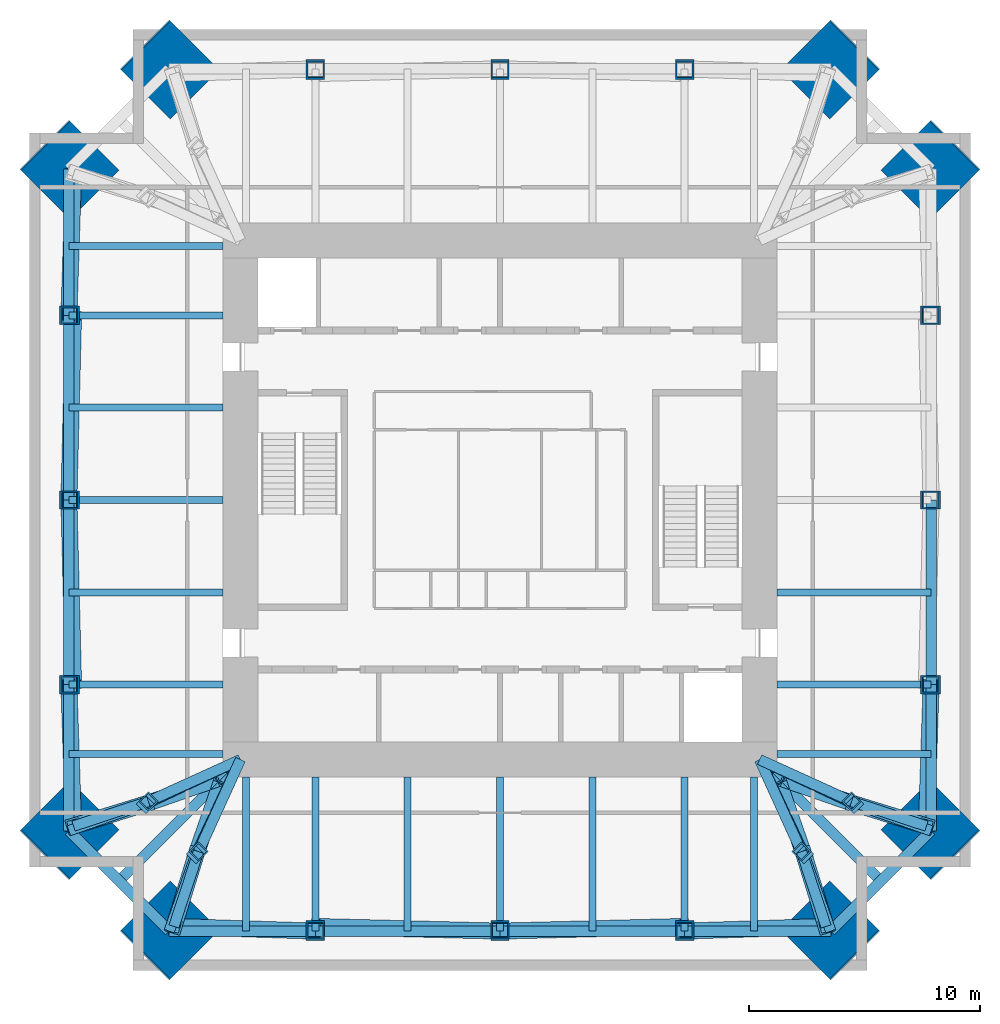
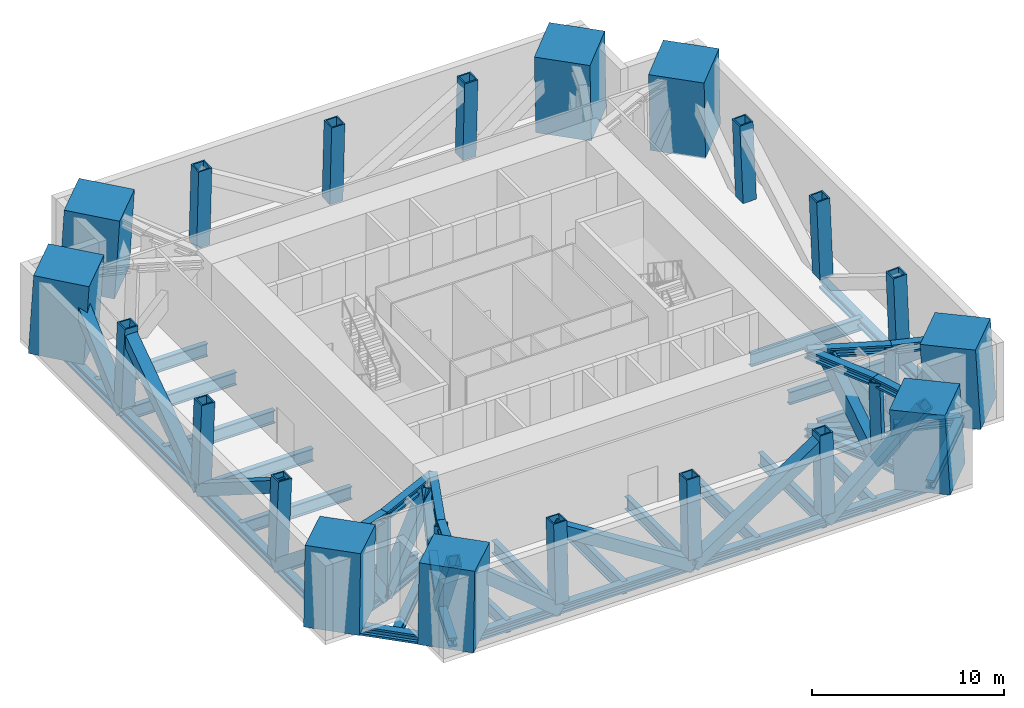
# One storey, part 1 of 6: 47 members, 21 beams, 20 columns.
"""IFC4 building model written with IfcOpenShell, lengths in metres."""

from ifc_helpers import new_model, si_unit, direction, frame, origin, origin_2d, place, context, subcontext, project, spatial, rectangle, hollow_rectangle, i_section, extrude, material, material_profile, profile_set, type_object, element, save


model = new_model("IFC4")

# Units and contexts
model_context = context("Model", 3, precision=1e-05, world=origin(), true_north=direction((0.0, 1.0)))
body_context = subcontext(model_context, "Body", "Model", "MODEL_VIEW")
ifc_project = project(units=[si_unit("LENGTHUNIT", "METRE"), si_unit("AREAUNIT", "SQUARE_METRE"), si_unit("VOLUMEUNIT", "CUBIC_METRE"), si_unit("PLANEANGLEUNIT", "RADIAN"), si_unit("MASSUNIT", "GRAM", prefix="KILO")], contexts=[model_context])

# Site, building, storey
site_placement = place(None, origin())
site = spatial("IfcSite", under=ifc_project, at=site_placement, CompositionType="ELEMENT")
building_placement = place(site_placement, origin())
building = spatial("IfcBuilding", under=site, at=building_placement, Name="Peilmerk Tower", CompositionType="ELEMENT")
storey_placement = place(building_placement, frame((0.0, 0.0, 302.800048828125)))
storey = spatial("IfcBuildingStorey", under=building, at=storey_placement, Name="L68", CompositionType="ELEMENT", Elevation=302.800048828125)

# Columns
ifc_material_1 = material(Name="Concrete C90/105", Category="concrete")
ifc_material_profile_1 = material_profile(ifc_material_1, rectangle(XDim=3.0, YDim=3.0, at=origin_2d()), Name="RC 3000x3000")
ifc_profile_set_1 = profile_set([ifc_material_profile_1], Name="Concrete C90/105")
column_type_1 = type_object("IfcColumnType", Name="MC3 3000x3000 encased mega column", PredefinedType="COLUMN", material=ifc_profile_set_1)
for number, where, z_axis, x_axis, name in (
    (1, (14.337158203125, 18.68701171875, 0.0), (-0.040266662877, -0.04021791389, 0.998379244207), (0.706678361564, -0.707534941396, 0.0), "Mega column MC3 NE_N L68"),
    (2, (18.68701171875, 14.337158203125, 0.0), (-0.04021791389, -0.040266662877, 0.998379244207), (0.707534941396, -0.706678361564, 0.0), "Mega column MC3 NE_E L68"),
    (3, (18.68701171875, -14.337158203125, 0.0), (-0.04021791389, 0.040266662877, 0.998379244207), (-0.707534941396, -0.706678361564, 0.0), "Mega column MC3 SE_E L68"),
    (4, (14.337158203125, -18.68701171875, 0.0), (-0.040266662877, 0.04021791389, 0.998379244207), (-0.706678361564, -0.707534941396, 0.0), "Mega column MC3 SE_S L68"),
    (5, (-14.337158203125, -18.68701171875, 0.0), (0.040266662877, 0.04021791389, 0.998379244207), (-0.706678361564, 0.707534941396, 0.0), "Mega column MC3 SW_S L68"),
    (6, (-18.68701171875, -14.337158203125, 0.0), (0.04021791389, 0.040266662877, 0.998379244207), (-0.707534941396, 0.706678361564, 0.0), "Mega column MC3 SW_W L68"),
    (7, (-18.68701171875, 14.337158203125, 0.0), (0.04021791389, -0.040266662877, 0.998379244207), (0.707534941396, 0.706678361564, 0.0), "Mega column MC3 NW_W L68"),
    (8, (-14.337158203125, 18.68701171875, 0.0), (0.040266662877, -0.04021791389, 0.998379244207), (0.706678361564, 0.707534941396, 0.0), "Mega column MC3 NW_N L68"),
):
    element("IfcColumn", number, at=place(storey_placement, frame(where, z_axis=z_axis, x_axis=x_axis)), inside=storey, type_object=column_type_1, Name=name, PredefinedType="COLUMN", context=body_context, shape_type="SweptSolid", body=[
        extrude(rectangle(XDim=3.0, YDim=3.0, at=origin_2d()), origin(), (0.0, 0.0, 1.0), 5.008056640625),
    ])
ifc_material_2 = material(Name="Steel S460", Category="steel")
ifc_material_profile_2 = material_profile(ifc_material_2, hollow_rectangle(XDim=0.800048828125, YDim=0.800048828125, WallThickness=0.080078125, at=origin_2d()), Name="BOX 800x800x80")
ifc_profile_set_2 = profile_set([ifc_material_profile_2], Name="Steel S460")
column_type_2 = type_object("IfcColumnType", Name="SC8 BOX 800x800x80 belt truss vertical", PredefinedType="COLUMN", material=ifc_profile_set_2)
for number, where, z_axis, x_axis, name in (
    (9, (8.0, 18.68701171875, 0.0), (0.0, -0.040250558339, 0.999189617917), (1.0, 0.0, 0.0), "Belt truss vertical T3 N"),
    (10, (0.0, 18.68701171875, 0.0), (0.0, -0.040250558339, 0.999189617917), (1.0, 0.0, 0.0), "Belt truss vertical T3 N"),
    (11, (-8.0, 18.68701171875, 0.0), (0.0, -0.040250558339, 0.999189617917), (1.0, 0.0, 0.0), "Belt truss vertical T3 N"),
    (12, (18.68701171875, -8.0, 0.0), (-0.040250558339, 0.0, 0.999189617917), (0.0, -1.0, 0.0), "Belt truss vertical T3 E"),
    (13, (18.68701171875, 0.0, 0.0), (-0.040250558339, 0.0, 0.999189617917), (0.0, -1.0, 0.0), "Belt truss vertical T3 E"),
    (14, (18.68701171875, 8.0, 0.0), (-0.040250558339, 0.0, 0.999189617917), (0.0, -1.0, 0.0), "Belt truss vertical T3 E"),
    (15, (-8.0, -18.68701171875, 0.0), (0.0, 0.040250558339, 0.999189617917), (-1.0, 0.0, 0.0), "Belt truss vertical T3 S"),
    (16, (0.0, -18.68701171875, 0.0), (0.0, 0.040250558339, 0.999189617917), (-1.0, 0.0, 0.0), "Belt truss vertical T3 S"),
    (17, (8.0, -18.68701171875, 0.0), (0.0, 0.040250558339, 0.999189617917), (-1.0, 0.0, 0.0), "Belt truss vertical T3 S"),
    (18, (-18.68701171875, 8.0, 0.0), (0.040250558339, 0.0, 0.999189617917), (0.0, 1.0, 0.0), "Belt truss vertical T3 W"),
    (19, (-18.68701171875, 0.0, 0.0), (0.040250558339, 0.0, 0.999189617917), (0.0, 1.0, 0.0), "Belt truss vertical T3 W"),
    (20, (-18.68701171875, -8.0, 0.0), (0.040250558339, 0.0, 0.999189617917), (0.0, 1.0, 0.0), "Belt truss vertical T3 W"),
):
    element("IfcColumn", number, at=place(storey_placement, frame(where, z_axis=z_axis, x_axis=x_axis)), inside=storey, type_object=column_type_2, Name=name, PredefinedType="COLUMN", context=body_context, shape_type="SweptSolid", body=[
        extrude(hollow_rectangle(XDim=0.800048828125, YDim=0.800048828125, WallThickness=0.080078125, at=origin_2d()), origin(), (0.0, 0.0, 1.0), 5.004150390625),
    ])

# Beams
ifc_material_profile_3 = material_profile(ifc_material_2, i_section(OverallWidth=0.4541015625, OverallDepth=0.569091796875, WebThickness=0.077880859375, FlangeThickness=0.125, at=origin_2d()), Name="HD 400x1086")
ifc_profile_set_3 = profile_set([ifc_material_profile_3], Name="Steel S460")
beam_type_1 = type_object("IfcBeamType", Name="B17 HD 400x1086 edge beam", PredefinedType="SPANDREL", material=ifc_profile_set_3)
for number, where, z_axis, x_axis, name in (
    (21, (18.68701171875, -14.337158203125, -0.53466796875), (-0.707106781187, -0.707106781187, 0.0), (0.707106781187, -0.707106781187, 0.0), "Notch beam L68"),
    (22, (-14.337158203125, -18.68701171875, -0.53466796875), (-0.707106781187, 0.707106781187, 0.0), (-0.707106781187, -0.707106781187, 0.0), "Notch beam L68"),
):
    element("IfcBeam", number, at=place(storey_placement, frame(where, z_axis=z_axis, x_axis=x_axis)), inside=storey, type_object=beam_type_1, Name=name, PredefinedType="SPANDREL", context=body_context, shape_type="SweptSolid", body=[
        extrude(i_section(OverallWidth=0.4541015625, OverallDepth=0.569091796875, WebThickness=0.077880859375, FlangeThickness=0.125, at=origin_2d()), origin(), (0.0, 0.0, 1.0), 6.151611328125),
    ])
ifc_material_profile_4 = material_profile(ifc_material_2, i_section(OverallWidth=0.302978515625, OverallDepth=0.81396484375, WebThickness=0.02099609375, FlangeThickness=0.0400390625, at=origin_2d()), Name="HEM 800")
ifc_profile_set_4 = profile_set([ifc_material_profile_4], Name="Steel S460")
beam_type_2 = type_object("IfcBeamType", Name="B26 HEM 800 floor beam", PredefinedType="BEAM", material=ifc_profile_set_4)
for number, where, z_axis, x_axis, name in (
    (23, (12.0, -11.0, -0.656982421875), (1.0, 0.0, 0.0), (0.0, 1.0, 0.0), "Floor beam L68"),
    (24, (12.0, -8.0, -0.656982421875), (1.0, 0.0, 0.0), (0.0, 1.0, 0.0), "Floor beam L68"),
    (25, (12.0, -4.0, -0.656982421875), (1.0, 0.0, 0.0), (0.0, 1.0, 0.0), "Floor beam L68"),
    (26, (-11.0, -12.0, -0.656982421875), (0.0, -1.0, 0.0), (1.0, 0.0, 0.0), "Floor beam L68"),
    (27, (-8.0, -12.0, -0.656982421875), (0.0, -1.0, 0.0), (1.0, 0.0, 0.0), "Floor beam L68"),
    (28, (-4.0, -12.0, -0.656982421875), (0.0, -1.0, 0.0), (1.0, 0.0, 0.0), "Floor beam L68"),
    (29, (0.0, -12.0, -0.656982421875), (0.0, -1.0, 0.0), (1.0, 0.0, 0.0), "Floor beam L68"),
    (30, (4.0, -12.0, -0.656982421875), (0.0, -1.0, 0.0), (1.0, 0.0, 0.0), "Floor beam L68"),
    (31, (8.0, -12.0, -0.656982421875), (0.0, -1.0, 0.0), (1.0, 0.0, 0.0), "Floor beam L68"),
    (32, (11.0, -12.0, -0.656982421875), (0.0, -1.0, 0.0), (1.0, 0.0, 0.0), "Floor beam L68"),
    (33, (-12.0, 11.0, -0.656982421875), (-1.0, 0.0, 0.0), (0.0, -1.0, 0.0), "Floor beam L68"),
    (34, (-12.0, 8.0, -0.656982421875), (-1.0, 0.0, 0.0), (0.0, -1.0, 0.0), "Floor beam L68"),
    (35, (-12.0, 4.0, -0.656982421875), (-1.0, 0.0, 0.0), (0.0, -1.0, 0.0), "Floor beam L68"),
    (36, (-12.0, 0.0, -0.656982421875), (-1.0, 0.0, 0.0), (0.0, -1.0, 0.0), "Floor beam L68"),
    (37, (-12.0, -4.0, -0.656982421875), (-1.0, 0.0, 0.0), (0.0, -1.0, 0.0), "Floor beam L68"),
    (38, (-12.0, -8.0, -0.656982421875), (-1.0, 0.0, 0.0), (0.0, -1.0, 0.0), "Floor beam L68"),
    (39, (-12.0, -11.0, -0.656982421875), (-1.0, 0.0, 0.0), (0.0, -1.0, 0.0), "Floor beam L68"),
):
    element("IfcBeam", number, at=place(storey_placement, frame(where, z_axis=z_axis, x_axis=x_axis)), inside=storey, type_object=beam_type_2, Name=name, PredefinedType="BEAM", context=body_context, shape_type="SweptSolid", body=[
        extrude(i_section(OverallWidth=0.302978515625, OverallDepth=0.81396484375, WebThickness=0.02099609375, FlangeThickness=0.0400390625, at=origin_2d()), origin(), (0.0, 0.0, 1.0), 6.68701171875),
    ])
ifc_material_profile_5 = material_profile(ifc_material_2, i_section(OverallWidth=0.4541015625, OverallDepth=0.569091796875, WebThickness=0.077880859375, FlangeThickness=0.125, at=origin_2d()), Name="HD 400x1086")
ifc_profile_set_5 = profile_set([ifc_material_profile_5], Name="Steel S460")
beam_type_3 = type_object("IfcBeamType", Name="B9 HD 400x1086 corner girder", PredefinedType="BEAM", material=ifc_profile_set_5)
for number, where, z_axis, x_axis, name in (
    (40, (11.25, -11.25, -0.53466796875), (0.707106781187, -0.707106781187, 0.0), (0.707106781187, 0.707106781187, 0.0), "Corner girder L68"),
    (41, (-11.25, -11.25, -0.53466796875), (-0.707106781187, -0.707106781187, 0.0), (0.707106781187, -0.707106781187, 0.0), "Corner girder L68"),
):
    element("IfcBeam", number, at=place(storey_placement, frame(where, z_axis=z_axis, x_axis=x_axis)), inside=storey, type_object=beam_type_3, Name=name, PredefinedType="BEAM", context=body_context, shape_type="SweptSolid", body=[
        extrude(i_section(OverallWidth=0.4541015625, OverallDepth=0.569091796875, WebThickness=0.077880859375, FlangeThickness=0.125, at=origin_2d()), origin(), (0.0, 0.0, 1.0), 7.44189453125),
    ])

# Members
ifc_material_profile_6 = material_profile(ifc_material_2, i_section(OverallWidth=0.4541015625, OverallDepth=0.569091796875, WebThickness=0.077880859375, FlangeThickness=0.125, at=origin_2d()), Name="HD 400x1086")
ifc_profile_set_6 = profile_set([ifc_material_profile_6], Name="Steel S460")
member_type_1 = type_object("IfcMemberType", Name="M1 HD 400x1086 belt truss chord", PredefinedType="CHORD", material=ifc_profile_set_6)
member_1_placement = place(storey_placement, frame((18.68701171875, -14.337158203125, -0.53466796875), z_axis=(0.0, 1.0, 0.0), x_axis=(-1.0, 0.0, 0.0)))
element("IfcMember", 42, at=member_1_placement, inside=storey, type_object=member_type_1, Name="Belt truss chord L68", PredefinedType="CHORD", context=body_context, shape_type="SweptSolid", body=[
    extrude(i_section(OverallWidth=0.4541015625, OverallDepth=0.569091796875, WebThickness=0.077880859375, FlangeThickness=0.125, at=origin_2d()), origin(), (0.0, 0.0, 1.0), 6.337158203125),
])
member_2_placement = place(storey_placement, frame((18.68701171875, -8.0, -0.53466796875), z_axis=(0.0, 1.0, 0.0), x_axis=(-1.0, 0.0, 0.0)))
element("IfcMember", 43, at=member_2_placement, inside=storey, type_object=member_type_1, Name="Belt truss chord L68", PredefinedType="CHORD", context=body_context, shape_type="SweptSolid", body=[
    extrude(i_section(OverallWidth=0.4541015625, OverallDepth=0.569091796875, WebThickness=0.077880859375, FlangeThickness=0.125, at=origin_2d()), origin(), (0.0, 0.0, 1.0), 8.0),
])
member_3_placement = place(storey_placement, frame((-14.337158203125, -18.68701171875, -0.53466796875), z_axis=(1.0, 0.0, 0.0), x_axis=(0.0, 1.0, 0.0)))
element("IfcMember", 44, at=member_3_placement, inside=storey, type_object=member_type_1, Name="Belt truss chord L68", PredefinedType="CHORD", context=body_context, shape_type="SweptSolid", body=[
    extrude(i_section(OverallWidth=0.4541015625, OverallDepth=0.569091796875, WebThickness=0.077880859375, FlangeThickness=0.125, at=origin_2d()), origin(), (0.0, 0.0, 1.0), 6.337158203125),
])
for number, where, z_axis, x_axis, name in (
    (45, (-8.0, -18.68701171875, -0.53466796875), (1.0, 0.0, 0.0), (0.0, 1.0, 0.0), "Belt truss chord L68"),
    (46, (0.0, -18.68701171875, -0.53466796875), (1.0, 0.0, 0.0), (0.0, 1.0, 0.0), "Belt truss chord L68"),
):
    element("IfcMember", number, at=place(storey_placement, frame(where, z_axis=z_axis, x_axis=x_axis)), inside=storey, type_object=member_type_1, Name=name, PredefinedType="CHORD", context=body_context, shape_type="SweptSolid", body=[
        extrude(i_section(OverallWidth=0.4541015625, OverallDepth=0.569091796875, WebThickness=0.077880859375, FlangeThickness=0.125, at=origin_2d()), origin(), (0.0, 0.0, 1.0), 8.0),
    ])
for number, where, z_axis, x_axis, name in (
    (47, (8.0, -18.68701171875, -0.53466796875), (1.0, 0.0, 0.0), (0.0, 1.0, 0.0), "Belt truss chord L68"),
    (48, (-18.68701171875, 14.337158203125, -0.53466796875), (0.0, -1.0, 0.0), (1.0, 0.0, 0.0), "Belt truss chord L68"),
):
    element("IfcMember", number, at=place(storey_placement, frame(where, z_axis=z_axis, x_axis=x_axis)), inside=storey, type_object=member_type_1, Name=name, PredefinedType="CHORD", context=body_context, shape_type="SweptSolid", body=[
        extrude(i_section(OverallWidth=0.4541015625, OverallDepth=0.569091796875, WebThickness=0.077880859375, FlangeThickness=0.125, at=origin_2d()), origin(), (0.0, 0.0, 1.0), 6.337158203125),
    ])
for number, where, z_axis, x_axis, name in (
    (49, (-18.68701171875, 8.0, -0.53466796875), (0.0, -1.0, 0.0), (1.0, 0.0, 0.0), "Belt truss chord L68"),
    (50, (-18.68701171875, 0.0, -0.53466796875), (0.0, -1.0, 0.0), (1.0, 0.0, 0.0), "Belt truss chord L68"),
):
    element("IfcMember", number, at=place(storey_placement, frame(where, z_axis=z_axis, x_axis=x_axis)), inside=storey, type_object=member_type_1, Name=name, PredefinedType="CHORD", context=body_context, shape_type="SweptSolid", body=[
        extrude(i_section(OverallWidth=0.4541015625, OverallDepth=0.569091796875, WebThickness=0.077880859375, FlangeThickness=0.125, at=origin_2d()), origin(), (0.0, 0.0, 1.0), 8.0),
    ])
member_4_placement = place(storey_placement, frame((-18.68701171875, -8.0, -0.53466796875), z_axis=(0.0, -1.0, 0.0), x_axis=(1.0, 0.0, 0.0)))
element("IfcMember", 51, at=member_4_placement, inside=storey, type_object=member_type_1, Name="Belt truss chord L68", PredefinedType="CHORD", context=body_context, shape_type="SweptSolid", body=[
    extrude(i_section(OverallWidth=0.4541015625, OverallDepth=0.569091796875, WebThickness=0.077880859375, FlangeThickness=0.125, at=origin_2d()), origin(), (0.0, 0.0, 1.0), 6.337158203125),
])
member_5_placement = place(storey_placement, frame((11.25, -11.25, -0.53466796875), z_axis=(0.905490713395, -0.424366077763, 0.0), x_axis=(0.424366077763, 0.905490713395, 0.0)))
element("IfcMember", 52, at=member_5_placement, inside=storey, type_object=member_type_1, Name="Outrigger chord T3 SE", PredefinedType="CHORD", context=body_context, shape_type="SweptSolid", body=[
    extrude(i_section(OverallWidth=0.4541015625, OverallDepth=0.569091796875, WebThickness=0.077880859375, FlangeThickness=0.125, at=origin_2d()), origin(), (0.0, 0.0, 1.0), 4.520751953125),
])
member_6_placement = place(storey_placement, frame((15.343505859375, -13.16845703125, -0.53466796875), z_axis=(0.943992606868, -0.329966601612, 0.0), x_axis=(0.329966601612, 0.943992606868, 0.0)))
element("IfcMember", 53, at=member_6_placement, inside=storey, type_object=member_type_1, Name="Outrigger chord T3 SE", PredefinedType="CHORD", context=body_context, shape_type="SweptSolid", body=[
    extrude(i_section(OverallWidth=0.4541015625, OverallDepth=0.569091796875, WebThickness=0.077880859375, FlangeThickness=0.125, at=origin_2d()), origin(), (0.0, 0.0, 1.0), 3.5419921875),
])
member_7_placement = place(storey_placement, frame((11.25, -11.25, 4.46533203125), z_axis=(0.910128091523, -0.41432699287, 0.0), x_axis=(0.41432699287, 0.910128091523, 0.0)))
element("IfcMember", 54, at=member_7_placement, inside=storey, type_object=member_type_1, Name="Outrigger chord T3 SE", PredefinedType="CHORD", context=body_context, shape_type="SweptSolid", body=[
    extrude(i_section(OverallWidth=0.4541015625, OverallDepth=0.569091796875, WebThickness=0.077880859375, FlangeThickness=0.125, at=origin_2d()), origin(), (0.0, 0.0, 1.0), 4.386962890625),
])
member_8_placement = place(storey_placement, frame((15.24267578125, -13.067626953125, 4.46533203125), z_axis=(0.949828274729, -0.31277187937, 0.0), x_axis=(0.31277187937, 0.949828274729, 0.0)))
element("IfcMember", 55, at=member_8_placement, inside=storey, type_object=member_type_1, Name="Outrigger chord T3 SE", PredefinedType="CHORD", context=body_context, shape_type="SweptSolid", body=[
    extrude(i_section(OverallWidth=0.4541015625, OverallDepth=0.569091796875, WebThickness=0.077880859375, FlangeThickness=0.125, at=origin_2d()), origin(), (0.0, 0.0, 1.0), 3.414306640625),
])
member_9_placement = place(storey_placement, frame((11.25, -11.25, -0.53466796875), z_axis=(0.424366077763, -0.905490713395, 0.0), x_axis=(0.905490713395, 0.424366077763, 0.0)))
element("IfcMember", 56, at=member_9_placement, inside=storey, type_object=member_type_1, Name="Outrigger chord T3 SE", PredefinedType="CHORD", context=body_context, shape_type="SweptSolid", body=[
    extrude(i_section(OverallWidth=0.4541015625, OverallDepth=0.569091796875, WebThickness=0.077880859375, FlangeThickness=0.125, at=origin_2d()), origin(), (0.0, 0.0, 1.0), 4.520751953125),
])
member_10_placement = place(storey_placement, frame((13.16845703125, -15.343505859375, -0.53466796875), z_axis=(0.329966601612, -0.943992606868, 0.0), x_axis=(0.943992606868, 0.329966601612, 0.0)))
element("IfcMember", 57, at=member_10_placement, inside=storey, type_object=member_type_1, Name="Outrigger chord T3 SE", PredefinedType="CHORD", context=body_context, shape_type="SweptSolid", body=[
    extrude(i_section(OverallWidth=0.4541015625, OverallDepth=0.569091796875, WebThickness=0.077880859375, FlangeThickness=0.125, at=origin_2d()), origin(), (0.0, 0.0, 1.0), 3.5419921875),
])
member_11_placement = place(storey_placement, frame((11.25, -11.25, 4.46533203125), z_axis=(0.41432699287, -0.910128091523, 0.0), x_axis=(0.910128091523, 0.41432699287, 0.0)))
element("IfcMember", 58, at=member_11_placement, inside=storey, type_object=member_type_1, Name="Outrigger chord T3 SE", PredefinedType="CHORD", context=body_context, shape_type="SweptSolid", body=[
    extrude(i_section(OverallWidth=0.4541015625, OverallDepth=0.569091796875, WebThickness=0.077880859375, FlangeThickness=0.125, at=origin_2d()), origin(), (0.0, 0.0, 1.0), 4.386962890625),
])
member_12_placement = place(storey_placement, frame((13.067626953125, -15.24267578125, 4.46533203125), z_axis=(0.31277187937, -0.949828274729, 0.0), x_axis=(0.949828274729, 0.31277187937, 0.0)))
element("IfcMember", 59, at=member_12_placement, inside=storey, type_object=member_type_1, Name="Outrigger chord T3 SE", PredefinedType="CHORD", context=body_context, shape_type="SweptSolid", body=[
    extrude(i_section(OverallWidth=0.4541015625, OverallDepth=0.569091796875, WebThickness=0.077880859375, FlangeThickness=0.125, at=origin_2d()), origin(), (0.0, 0.0, 1.0), 3.414306640625),
])
member_13_placement = place(storey_placement, frame((-11.25, -11.25, -0.53466796875), z_axis=(-0.424366077763, -0.905490713395, 0.0), x_axis=(0.905490713395, -0.424366077763, 0.0)))
element("IfcMember", 60, at=member_13_placement, inside=storey, type_object=member_type_1, Name="Outrigger chord T3 SW", PredefinedType="CHORD", context=body_context, shape_type="SweptSolid", body=[
    extrude(i_section(OverallWidth=0.4541015625, OverallDepth=0.569091796875, WebThickness=0.077880859375, FlangeThickness=0.125, at=origin_2d()), origin(), (0.0, 0.0, 1.0), 4.520751953125),
])
member_14_placement = place(storey_placement, frame((-13.16845703125, -15.343505859375, -0.53466796875), z_axis=(-0.329966601612, -0.943992606868, 0.0), x_axis=(0.943992606868, -0.329966601612, 0.0)))
element("IfcMember", 61, at=member_14_placement, inside=storey, type_object=member_type_1, Name="Outrigger chord T3 SW", PredefinedType="CHORD", context=body_context, shape_type="SweptSolid", body=[
    extrude(i_section(OverallWidth=0.4541015625, OverallDepth=0.569091796875, WebThickness=0.077880859375, FlangeThickness=0.125, at=origin_2d()), origin(), (0.0, 0.0, 1.0), 3.5419921875),
])
member_15_placement = place(storey_placement, frame((-11.25, -11.25, 4.46533203125), z_axis=(-0.41432699287, -0.910128091523, 0.0), x_axis=(0.910128091523, -0.41432699287, 0.0)))
element("IfcMember", 62, at=member_15_placement, inside=storey, type_object=member_type_1, Name="Outrigger chord T3 SW", PredefinedType="CHORD", context=body_context, shape_type="SweptSolid", body=[
    extrude(i_section(OverallWidth=0.4541015625, OverallDepth=0.569091796875, WebThickness=0.077880859375, FlangeThickness=0.125, at=origin_2d()), origin(), (0.0, 0.0, 1.0), 4.386962890625),
])
member_16_placement = place(storey_placement, frame((-13.067626953125, -15.24267578125, 4.46533203125), z_axis=(-0.31277187937, -0.949828274729, 0.0), x_axis=(0.949828274729, -0.31277187937, 0.0)))
element("IfcMember", 63, at=member_16_placement, inside=storey, type_object=member_type_1, Name="Outrigger chord T3 SW", PredefinedType="CHORD", context=body_context, shape_type="SweptSolid", body=[
    extrude(i_section(OverallWidth=0.4541015625, OverallDepth=0.569091796875, WebThickness=0.077880859375, FlangeThickness=0.125, at=origin_2d()), origin(), (0.0, 0.0, 1.0), 3.414306640625),
])
member_17_placement = place(storey_placement, frame((-11.25, -11.25, -0.53466796875), z_axis=(-0.905490713395, -0.424366077763, 0.0), x_axis=(0.424366077763, -0.905490713395, 0.0)))
element("IfcMember", 64, at=member_17_placement, inside=storey, type_object=member_type_1, Name="Outrigger chord T3 SW", PredefinedType="CHORD", context=body_context, shape_type="SweptSolid", body=[
    extrude(i_section(OverallWidth=0.4541015625, OverallDepth=0.569091796875, WebThickness=0.077880859375, FlangeThickness=0.125, at=origin_2d()), origin(), (0.0, 0.0, 1.0), 4.520751953125),
])
member_18_placement = place(storey_placement, frame((-15.343505859375, -13.16845703125, -0.53466796875), z_axis=(-0.943992606868, -0.329966601612, 0.0), x_axis=(0.329966601612, -0.943992606868, 0.0)))
element("IfcMember", 65, at=member_18_placement, inside=storey, type_object=member_type_1, Name="Outrigger chord T3 SW", PredefinedType="CHORD", context=body_context, shape_type="SweptSolid", body=[
    extrude(i_section(OverallWidth=0.4541015625, OverallDepth=0.569091796875, WebThickness=0.077880859375, FlangeThickness=0.125, at=origin_2d()), origin(), (0.0, 0.0, 1.0), 3.5419921875),
])
member_19_placement = place(storey_placement, frame((-11.25, -11.25, 4.46533203125), z_axis=(-0.910128091523, -0.41432699287, 0.0), x_axis=(0.41432699287, -0.910128091523, 0.0)))
element("IfcMember", 66, at=member_19_placement, inside=storey, type_object=member_type_1, Name="Outrigger chord T3 SW", PredefinedType="CHORD", context=body_context, shape_type="SweptSolid", body=[
    extrude(i_section(OverallWidth=0.4541015625, OverallDepth=0.569091796875, WebThickness=0.077880859375, FlangeThickness=0.125, at=origin_2d()), origin(), (0.0, 0.0, 1.0), 4.386962890625),
])
member_20_placement = place(storey_placement, frame((-15.24267578125, -13.067626953125, 4.46533203125), z_axis=(-0.949828274729, -0.31277187937, 0.0), x_axis=(0.31277187937, -0.949828274729, 0.0)))
element("IfcMember", 67, at=member_20_placement, inside=storey, type_object=member_type_1, Name="Outrigger chord T3 SW", PredefinedType="CHORD", context=body_context, shape_type="SweptSolid", body=[
    extrude(i_section(OverallWidth=0.4541015625, OverallDepth=0.569091796875, WebThickness=0.077880859375, FlangeThickness=0.125, at=origin_2d()), origin(), (0.0, 0.0, 1.0), 3.414306640625),
])
ifc_material_profile_7 = material_profile(ifc_material_2, hollow_rectangle(XDim=0.60009765625, YDim=0.60009765625, WallThickness=0.06005859375, at=origin_2d()), Name="BOX 600x600x60")
ifc_profile_set_7 = profile_set([ifc_material_profile_7], Name="Steel S460")
member_type_2 = type_object("IfcMemberType", Name="M3 BOX 600x600x60 outrigger post", PredefinedType="POST", material=ifc_profile_set_7)
for number, where, z_axis, x_axis, name in (
    (68, (15.343505859375, -13.16845703125, -0.53466796875), (-0.020157819747, 0.020157819747, 0.999593579714), (-0.707106781187, -0.707106781187, 0.0), "Outrigger post T3 SE"),
    (69, (13.16845703125, -15.343505859375, -0.53466796875), (-0.020157819747, 0.020157819747, 0.999593579714), (-0.707106781187, -0.707106781187, 0.0), "Outrigger post T3 SE"),
    (70, (-13.16845703125, -15.343505859375, -0.53466796875), (0.020157819747, 0.020157819747, 0.999593579714), (-0.707106781187, 0.707106781187, 0.0), "Outrigger post T3 SW"),
    (71, (-15.343505859375, -13.16845703125, -0.53466796875), (0.020157819747, 0.020157819747, 0.999593579714), (-0.707106781187, 0.707106781187, 0.0), "Outrigger post T3 SW"),
):
    element("IfcMember", number, at=place(storey_placement, frame(where, z_axis=z_axis, x_axis=x_axis)), inside=storey, type_object=member_type_2, Name=name, PredefinedType="POST", context=body_context, shape_type="SweptSolid", body=[
        extrude(hollow_rectangle(XDim=0.60009765625, YDim=0.60009765625, WallThickness=0.06005859375, at=origin_2d()), origin(), (0.0, 0.0, 1.0), 5.001953125),
    ])
ifc_material_profile_8 = material_profile(ifc_material_2, hollow_rectangle(XDim=0.699951171875, YDim=0.699951171875, WallThickness=0.080078125, at=origin_2d()), Name="BOX 700x700x80")
ifc_profile_set_8 = profile_set([ifc_material_profile_8], Name="Steel S460")
member_type_3 = type_object("IfcMemberType", Name="M4 BOX 700x700x80 outrigger diagonal", PredefinedType="BRACE", material=ifc_profile_set_8)
for number, where, z_axis, x_axis, name in (
    (72, (18.68701171875, -8.0, -0.53466796875), (-0.025439731051, -0.774940461859, 0.631522050809), (0.999461596948, -0.032810306692, 0.0), "Belt truss diagonal T3 E"),
    (73, (-8.0, -18.68701171875, -0.53466796875), (-0.774940461859, 0.025439731051, 0.631522050809), (-0.032810306692, -0.999461596948, 0.0), "Belt truss diagonal T3 S"),
):
    element("IfcMember", number, at=place(storey_placement, frame(where, z_axis=z_axis, x_axis=x_axis)), inside=storey, type_object=member_type_3, Name=name, PredefinedType="BRACE", context=body_context, shape_type="SweptSolid", body=[
        extrude(hollow_rectangle(XDim=0.699951171875, YDim=0.699951171875, WallThickness=0.080078125, at=origin_2d()), origin(), (0.0, 0.0, 1.0), 7.91748046875),
    ])
for number, where, z_axis, x_axis, name in (
    (74, (0.0, -18.68701171875, -0.53466796875), (-0.847805100704, 0.021345190676, 0.52987818794), (-0.025169026128, -0.999683209884, 0.0), "Belt truss diagonal T3 S"),
    (75, (0.0, -18.68701171875, -0.53466796875), (0.847805100704, 0.021345190676, 0.52987818794), (-0.025169026128, 0.999683209884, 0.0), "Belt truss diagonal T3 S"),
):
    element("IfcMember", number, at=place(storey_placement, frame(where, z_axis=z_axis, x_axis=x_axis)), inside=storey, type_object=member_type_3, Name=name, PredefinedType="BRACE", context=body_context, shape_type="SweptSolid", body=[
        extrude(hollow_rectangle(XDim=0.699951171875, YDim=0.699951171875, WallThickness=0.080078125, at=origin_2d()), origin(), (0.0, 0.0, 1.0), 9.43603515625),
    ])
for number, where, z_axis, x_axis, name in (
    (76, (8.0, -18.68701171875, -0.53466796875), (0.774940461859, 0.025439731051, 0.631522050809), (-0.032810306692, 0.999461596948, 0.0), "Belt truss diagonal T3 S"),
    (77, (-18.68701171875, 8.0, -0.53466796875), (0.025439731051, 0.774940461859, 0.631522050809), (-0.999461596948, 0.032810306692, 0.0), "Belt truss diagonal T3 W"),
):
    element("IfcMember", number, at=place(storey_placement, frame(where, z_axis=z_axis, x_axis=x_axis)), inside=storey, type_object=member_type_3, Name=name, PredefinedType="BRACE", context=body_context, shape_type="SweptSolid", body=[
        extrude(hollow_rectangle(XDim=0.699951171875, YDim=0.699951171875, WallThickness=0.080078125, at=origin_2d()), origin(), (0.0, 0.0, 1.0), 7.91748046875),
    ])
for number, where, z_axis, x_axis, name in (
    (78, (-18.68701171875, 0.0, -0.53466796875), (0.021345190676, 0.847805100704, 0.52987818794), (-0.999683209884, 0.025169026128, 0.0), "Belt truss diagonal T3 W"),
    (79, (-18.68701171875, 0.0, -0.53466796875), (0.021345190676, -0.847805100704, 0.52987818794), (0.999683209884, 0.025169026128, 0.0), "Belt truss diagonal T3 W"),
):
    element("IfcMember", number, at=place(storey_placement, frame(where, z_axis=z_axis, x_axis=x_axis)), inside=storey, type_object=member_type_3, Name=name, PredefinedType="BRACE", context=body_context, shape_type="SweptSolid", body=[
        extrude(hollow_rectangle(XDim=0.699951171875, YDim=0.699951171875, WallThickness=0.080078125, at=origin_2d()), origin(), (0.0, 0.0, 1.0), 9.43603515625),
    ])
member_21_placement = place(storey_placement, frame((-18.68701171875, -8.0, -0.53466796875), z_axis=(0.025439731051, -0.774940461859, 0.631522050809), x_axis=(0.999461596948, 0.032810306692, 0.0)))
element("IfcMember", 80, at=member_21_placement, inside=storey, type_object=member_type_3, Name="Belt truss diagonal T3 W", PredefinedType="BRACE", context=body_context, shape_type="SweptSolid", body=[
    extrude(hollow_rectangle(XDim=0.699951171875, YDim=0.699951171875, WallThickness=0.080078125, at=origin_2d()), origin(), (0.0, 0.0, 1.0), 7.91748046875),
])
member_22_placement = place(storey_placement, frame((15.343505859375, -13.16845703125, -0.53466796875), z_axis=(-0.545669837476, 0.190695570804, 0.816014477656), x_axis=(-0.329905174718, -0.944014076004, 0.0)))
element("IfcMember", 81, at=member_22_placement, inside=storey, type_object=member_type_3, Name="Outrigger diagonal T3", PredefinedType="BRACE", context=body_context, shape_type="SweptSolid", body=[
    extrude(hollow_rectangle(XDim=0.699951171875, YDim=0.699951171875, WallThickness=0.080078125, at=origin_2d()), origin(), (0.0, 0.0, 1.0), 6.12744140625),
])
member_23_placement = place(storey_placement, frame((15.343505859375, -13.16845703125, -0.53466796875), z_axis=(0.525084491716, -0.161605258095, 0.835565686895), x_axis=(0.294153687877, 0.955758132536, 0.0)))
element("IfcMember", 82, at=member_23_placement, inside=storey, type_object=member_type_3, Name="Outrigger diagonal T3", PredefinedType="BRACE", context=body_context, shape_type="SweptSolid", body=[
    extrude(hollow_rectangle(XDim=0.699951171875, YDim=0.699951171875, WallThickness=0.080078125, at=origin_2d()), origin(), (0.0, 0.0, 1.0), 5.98388671875),
])
member_24_placement = place(storey_placement, frame((13.16845703125, -15.343505859375, -0.53466796875), z_axis=(-0.190695570804, 0.545669837476, 0.816014477656), x_axis=(-0.944014076004, -0.329905174718, 0.0)))
element("IfcMember", 83, at=member_24_placement, inside=storey, type_object=member_type_3, Name="Outrigger diagonal T3", PredefinedType="BRACE", context=body_context, shape_type="SweptSolid", body=[
    extrude(hollow_rectangle(XDim=0.699951171875, YDim=0.699951171875, WallThickness=0.080078125, at=origin_2d()), origin(), (0.0, 0.0, 1.0), 6.12744140625),
])
member_25_placement = place(storey_placement, frame((13.16845703125, -15.343505859375, -0.53466796875), z_axis=(0.161605258095, -0.525084491716, 0.835565686895), x_axis=(0.955758132536, 0.294153687877, 0.0)))
element("IfcMember", 84, at=member_25_placement, inside=storey, type_object=member_type_3, Name="Outrigger diagonal T3", PredefinedType="BRACE", context=body_context, shape_type="SweptSolid", body=[
    extrude(hollow_rectangle(XDim=0.699951171875, YDim=0.699951171875, WallThickness=0.080078125, at=origin_2d()), origin(), (0.0, 0.0, 1.0), 5.98388671875),
])
member_26_placement = place(storey_placement, frame((-13.16845703125, -15.343505859375, -0.53466796875), z_axis=(0.190695570804, 0.545669837476, 0.816014477656), x_axis=(-0.944014076004, 0.329905174718, 0.0)))
element("IfcMember", 85, at=member_26_placement, inside=storey, type_object=member_type_3, Name="Outrigger diagonal T3", PredefinedType="BRACE", context=body_context, shape_type="SweptSolid", body=[
    extrude(hollow_rectangle(XDim=0.699951171875, YDim=0.699951171875, WallThickness=0.080078125, at=origin_2d()), origin(), (0.0, 0.0, 1.0), 6.12744140625),
])
member_27_placement = place(storey_placement, frame((-13.16845703125, -15.343505859375, -0.53466796875), z_axis=(-0.161605258095, -0.525084491716, 0.835565686895), x_axis=(0.955758132536, -0.294153687877, 0.0)))
element("IfcMember", 86, at=member_27_placement, inside=storey, type_object=member_type_3, Name="Outrigger diagonal T3", PredefinedType="BRACE", context=body_context, shape_type="SweptSolid", body=[
    extrude(hollow_rectangle(XDim=0.699951171875, YDim=0.699951171875, WallThickness=0.080078125, at=origin_2d()), origin(), (0.0, 0.0, 1.0), 5.98388671875),
])
member_28_placement = place(storey_placement, frame((-15.343505859375, -13.16845703125, -0.53466796875), z_axis=(0.545669837476, 0.190695570804, 0.816014477656), x_axis=(-0.329905174718, 0.944014076004, 0.0)))
element("IfcMember", 87, at=member_28_placement, inside=storey, type_object=member_type_3, Name="Outrigger diagonal T3", PredefinedType="BRACE", context=body_context, shape_type="SweptSolid", body=[
    extrude(hollow_rectangle(XDim=0.699951171875, YDim=0.699951171875, WallThickness=0.080078125, at=origin_2d()), origin(), (0.0, 0.0, 1.0), 6.12744140625),
])
member_29_placement = place(storey_placement, frame((-15.343505859375, -13.16845703125, -0.53466796875), z_axis=(-0.525084491716, -0.161605258095, 0.835565686895), x_axis=(0.294153687877, -0.955758132536, 0.0)))
element("IfcMember", 88, at=member_29_placement, inside=storey, type_object=member_type_3, Name="Outrigger diagonal T3", PredefinedType="BRACE", context=body_context, shape_type="SweptSolid", body=[
    extrude(hollow_rectangle(XDim=0.699951171875, YDim=0.699951171875, WallThickness=0.080078125, at=origin_2d()), origin(), (0.0, 0.0, 1.0), 5.98388671875),
])

save(model, "model.ifc")
